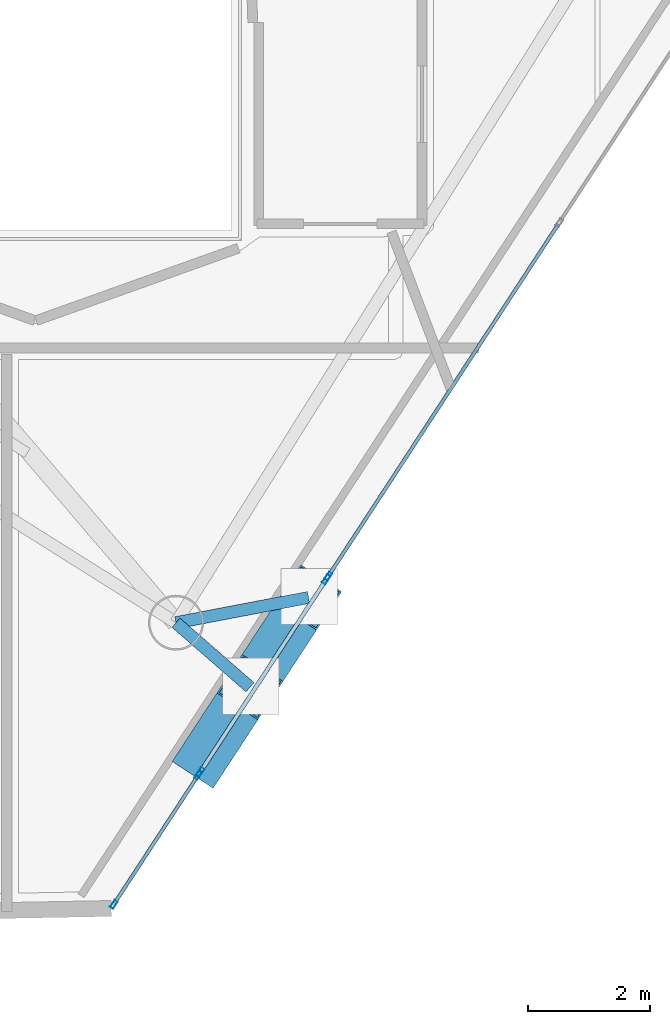
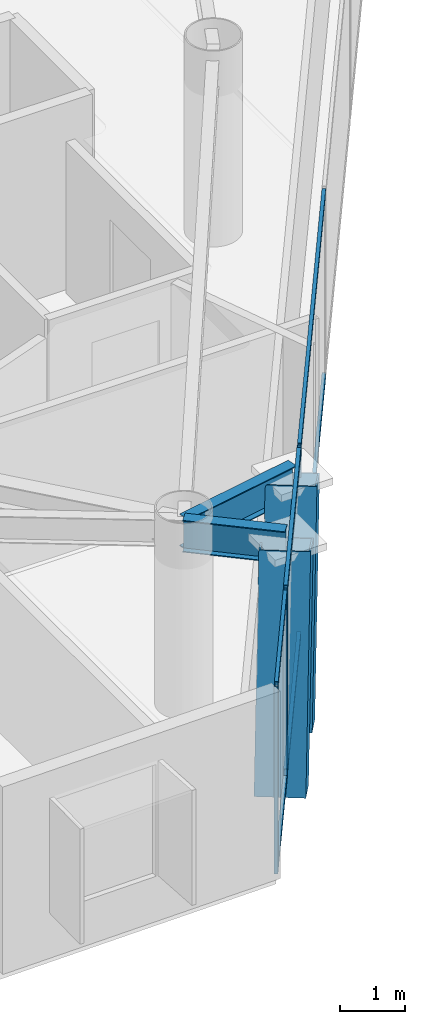
# One storey, part 5 of 25: 13 members, 2 beams, 3 elements without a shape of their own.
"""IFC4 building model written with IfcOpenShell, lengths in metres."""

import ifcopenshell
import ifcopenshell.guid

model = None  # the IFC model being written
_history = None  # IfcOwnerHistory: only IFC2X3 demands one
_inside = {}  # id of a spatial element -> (the spatial element, [elements in it])
_under = {}  # id of a project, library or spatial element -> (it, [spatial elements below it])
_declared = {}  # id of a project -> (the project, [libraries it declares])
_typed = {}  # id of a type object -> (the type object, [elements of that type])
_made_of = {}  # id of a material, layer set ... -> (it, [elements and type objects made of it])


def new_model(schema):
    """Start an empty IFC model of exactly this schema.

    Asked for "IFC4X3", IfcOpenShell would pick the latest addendum, in which some entities
    have other attributes; the version numbers below select the first issue.
    IFC2X3 requires an IfcOwnerHistory on every rooted entity: one is made here for all.
    """
    global model, _history
    if schema == "IFC4X3":
        model = ifcopenshell.file(schema_version=(4, 3, 0, 0))
    else:
        model = ifcopenshell.file(schema=schema)
    _inside.clear()
    _under.clear()
    _declared.clear()
    _typed.clear()
    _made_of.clear()
    _history = None
    if model.schema == "IFC2X3":
        org = make("IfcOrganization", Name="unknown")
        user = make(
            "IfcPersonAndOrganization",
            ThePerson=make("IfcPerson", FamilyName="unknown"),
            TheOrganization=org,
        )
        app = make(
            "IfcApplication",
            ApplicationDeveloper=org,
            Version="unknown",
            ApplicationFullName="unknown",
            ApplicationIdentifier="unknown",
        )
        _history = make(
            "IfcOwnerHistory",
            OwningUser=user,
            OwningApplication=app,
            ChangeAction="ADDED",
            CreationDate=0,
        )
    return model


def make(cls, **values):
    """One entity of the class cls with the attributes given. An attribute that is None is left unset."""
    return model.create_entity(
        cls, **{name: value for name, value in values.items() if value is not None}
    )


def rooted(cls, **values):
    """An entity with a GlobalId (a new one), such as an element, a storey or a relation."""
    return make(cls, GlobalId=ifcopenshell.guid.new(), OwnerHistory=_history, **values)


def si_unit(unit_type, name, prefix=None):
    """IfcSIUnit, for example si_unit("LENGTHUNIT", "METRE", prefix="MILLI")."""
    return make("IfcSIUnit", UnitType=unit_type, Prefix=prefix, Name=name)


def assignment(units):
    """IfcUnitAssignment: the units of a project."""
    return None if units is None else make("IfcUnitAssignment", Units=units)


def point(xyz):
    """IfcCartesianPoint."""
    return None if xyz is None else make("IfcCartesianPoint", Coordinates=xyz)


def direction(xyz):
    """IfcDirection."""
    return None if xyz is None else make("IfcDirection", DirectionRatios=xyz)


def frame(location, z_axis=None, x_axis=None):
    """IfcAxis2Placement3D, a coordinate frame: its origin and axes. An axis left out is left unset."""
    return make(
        "IfcAxis2Placement3D",
        Location=point(location),
        Axis=direction(z_axis),
        RefDirection=direction(x_axis),
    )


def frame_2d(location, x_axis=None):
    """IfcAxis2Placement2D, a coordinate frame in the plane: its origin and x axis."""
    return make(
        "IfcAxis2Placement2D", Location=point(location), RefDirection=direction(x_axis)
    )


def origin():
    """The frame at (0, 0, 0) with its axes left unset."""
    return frame((0.0, 0.0, 0.0))


def origin_2d():
    """The frame at (0, 0) in the plane with its x axis left unset."""
    return frame_2d((0.0, 0.0))


def place(relative_to, where):
    """IfcLocalPlacement: puts the frame where relative to a parent placement (None: the world)."""
    return make(
        "IfcLocalPlacement", PlacementRelTo=relative_to, RelativePlacement=where
    )


def context(
    kind, dimensions, precision=None, world=None, true_north=None, identifier=None
):
    """IfcGeometricRepresentationContext, for example the 3D "Model" context."""
    return make(
        "IfcGeometricRepresentationContext",
        ContextIdentifier=identifier,
        ContextType=kind,
        CoordinateSpaceDimension=dimensions,
        Precision=precision,
        WorldCoordinateSystem=world,
        TrueNorth=true_north,
    )


def subcontext(parent, identifier, kind, view, scale=None):
    """IfcGeometricRepresentationSubContext, for example "Body" below "Model"."""
    return make(
        "IfcGeometricRepresentationSubContext",
        ContextIdentifier=identifier,
        ContextType=kind,
        ParentContext=parent,
        TargetScale=scale,
        TargetView=view,
    )


def project(units=None, contexts=None):
    """IfcProject with its units and contexts."""
    return rooted(
        "IfcProject",
        Name="project",
        RepresentationContexts=contexts,
        UnitsInContext=assignment(units),
    )


def spatial(cls, under=None, at=None, **own):
    """A site, building, storey or space (cls), placed at a placement, below another one or the project."""
    s = rooted(cls, ObjectPlacement=at, **own)
    if under is not None:
        _under.setdefault(under.id(), (under, []))[1].append(s)
    return s


def profile(cls, at=None, kind="AREA", **sizes):
    """A parametric profile (cls). Its sizes go by their IFC names, for example OverallWidth=200.0."""
    return make(cls, ProfileType=kind, Position=at, **sizes)


def hollow_rectangle(**sizes):
    """IfcRectangleHollowProfileDef."""
    return profile("IfcRectangleHollowProfileDef", **sizes)


def i_section(**sizes):
    """IfcIShapeProfileDef."""
    return profile("IfcIShapeProfileDef", **sizes)


def extrude(swept, where, along, depth):
    """IfcExtrudedAreaSolid: the profile swept, set in the frame where, extruded along a direction by depth."""
    return make(
        "IfcExtrudedAreaSolid",
        SweptArea=swept,
        Position=where,
        ExtrudedDirection=direction(along),
        Depth=depth,
    )


def shape(context_of_items, identifier, shape_type, items):
    """IfcShapeRepresentation: the items that make up one representation, for example the "Body"."""
    return make(
        "IfcShapeRepresentation",
        ContextOfItems=context_of_items,
        RepresentationIdentifier=identifier,
        RepresentationType=shape_type,
        Items=items,
    )


def material(Name=None, Category=None):
    """IfcMaterial."""
    return make("IfcMaterial", Name=Name, Category=Category)


def layer(
    of_material, thickness, ventilated=None, Name=None, Category=None, Priority=None
):
    """IfcMaterialLayer: one layer of a wall or slab, of a material (None: an air gap)."""
    return make(
        "IfcMaterialLayer",
        Material=of_material,
        LayerThickness=thickness,
        IsVentilated=ventilated,
        Name=Name,
        Category=Category,
        Priority=Priority,
    )


def layer_set(layers, Name=None):
    """IfcMaterialLayerSet."""
    return make("IfcMaterialLayerSet", MaterialLayers=layers, LayerSetName=Name)


def material_profile(
    of_material, cross_section, Name=None, Category=None, Priority=None
):
    """IfcMaterialProfile: a cross section and its material."""
    return make(
        "IfcMaterialProfile",
        Name=Name,
        Material=of_material,
        Profile=cross_section,
        Priority=Priority,
        Category=Category,
    )


def profile_set(profiles, Name=None, composite=None):
    """IfcMaterialProfileSet."""
    return make(
        "IfcMaterialProfileSet",
        Name=Name,
        MaterialProfiles=profiles,
        CompositeProfile=composite,
    )


def made_of(thing, what):
    """Note that an element or type object is made of a material, layer set ...; save() writes the relation."""
    if what is not None:
        _made_of.setdefault(what.id(), (what, []))[1].append(thing)
    return thing


def type_object(cls, material=None, **own):
    """A type object (cls), such as IfcWallType, which elements share."""
    return made_of(rooted(cls, **own), material)


def element(
    cls,
    number,
    at=None,
    inside=None,
    cuts=None,
    type_object=None,
    material=None,
    context=None,
    identifier="Body",
    shape_type=None,
    held_by="IfcProductDefinitionShape",
    body=None,
    shapes=None,
    **own,
):
    """One element of the class cls, such as IfcWall. Its Tag is "e" and its number.

    at: its placement. inside: the storey or other place that contains it. cuts: it is an
    opening in that element (IfcRelVoidsElement). A single representation is given by context,
    identifier, shape_type and body (its items); several are given by shapes. held_by: the class
    of the entity that holds the representations. save() writes the other relations.
    """
    e = rooted(cls, Tag="e%d" % number, ObjectPlacement=at, **own)
    if body is not None:
        shapes = [shape(context, identifier, shape_type, body)]
    if shapes is not None:
        e.Representation = make(held_by, Representations=shapes)
    if inside is not None:
        _inside.setdefault(inside.id(), (inside, []))[1].append(e)
    if cuts is not None:
        rooted(
            "IfcRelVoidsElement", RelatingBuildingElement=cuts, RelatedOpeningElement=e
        )
    if type_object is not None:
        _typed.setdefault(type_object.id(), (type_object, []))[1].append(e)
    return made_of(e, material)


def aggregate(whole, parts):
    """IfcRelAggregates: a whole, such as a stair, and the parts it consists of."""
    return rooted("IfcRelAggregates", RelatingObject=whole, RelatedObjects=parts)


def save(model, path):
    """Write the relations noted so far, then the file.

    IfcRelAggregates (storeys below a building ...), IfcRelContainedInSpatialStructure (elements
    in a storey), IfcRelDefinesByType, IfcRelAssociatesMaterial and IfcRelDeclares: one each for
    every whole, place, type object, material and project.
    """
    for whole, parts in _under.values():
        aggregate(whole, parts)
    for where, things in _inside.values():
        rooted(
            "IfcRelContainedInSpatialStructure",
            RelatedElements=things,
            RelatingStructure=where,
        )
    for kind, things in _typed.values():
        rooted("IfcRelDefinesByType", RelatedObjects=things, RelatingType=kind)
    for what, things in _made_of.values():
        rooted("IfcRelAssociatesMaterial", RelatedObjects=things, RelatingMaterial=what)
    for by, libraries in _declared.values():
        rooted("IfcRelDeclares", RelatingContext=by, RelatedDefinitions=libraries)
    model.write(path)


model = new_model("IFC4")

# Units and contexts
model_context = context("Model", 3, precision=1e-05, world=origin(), true_north=direction((0.0, 1.0)))
body_context = subcontext(model_context, "Body", "Model", "MODEL_VIEW")
ifc_project = project(units=[si_unit("LENGTHUNIT", "METRE"), si_unit("AREAUNIT", "SQUARE_METRE"), si_unit("VOLUMEUNIT", "CUBIC_METRE"), si_unit("PLANEANGLEUNIT", "RADIAN"), si_unit("MASSUNIT", "GRAM", prefix="KILO")], contexts=[model_context])

# Site, building, storey
site_placement = place(None, origin())
site = spatial("IfcSite", under=ifc_project, at=site_placement, CompositionType="ELEMENT")
building_placement = place(site_placement, origin())
building = spatial("IfcBuilding", under=site, at=building_placement, Name="Qianvela Tower", CompositionType="ELEMENT")
storey_placement = place(building_placement, frame((0.0, 0.0, 288.0)))
storey = spatial("IfcBuildingStorey", under=building, at=storey_placement, Name="L74", CompositionType="ELEMENT", Elevation=288.0)

# Beams
ifc_material_1 = material(Name="Steel Q355B", Category="steel")
ifc_material_profile_1 = material_profile(ifc_material_1, i_section(OverallWidth=0.199951171875, OverallDepth=0.60009765625, WebThickness=0.010986328125, FlangeThickness=0.01708984375, at=origin_2d()), Name="HN600x200x11x17")
ifc_profile_set_1 = profile_set([ifc_material_profile_1], Name="Steel Q355B")
beam_type = type_object("IfcBeamType", Name="BM-HN600-GIRD", PredefinedType="BEAM", material=ifc_profile_set_1)
beam_1_placement = place(storey_placement, frame((39.095947265625, 11.587890625, 3.218017578125), z_axis=(0.754195853298, -0.656649537324, 0.0), x_axis=(0.656649537324, 0.754195853298, 0.0)))
element("IfcBeam", 1, at=beam_1_placement, inside=storey, type_object=beam_type, Name="L74 Mega-Brace Column Tie Bracket F3-1", PredefinedType="BEAM", context=body_context, shape_type="SweptSolid", body=[
    extrude(i_section(OverallWidth=0.199951171875, OverallDepth=0.60009765625, WebThickness=0.010986328125, FlangeThickness=0.01708984375, at=origin_2d()), origin(), (0.0, 0.0, 1.0), 1.604248046875),
])
beam_2_placement = place(storey_placement, frame((39.095947265625, 11.587890625, 3.218017578125), z_axis=(0.982277538267, 0.187432221925, 0.0), x_axis=(-0.187432221925, 0.982277538267, 0.0)))
element("IfcBeam", 2, at=beam_2_placement, inside=storey, type_object=beam_type, Name="L74 Mega-Brace Column Tie Bracket F3-2", PredefinedType="BEAM", context=body_context, shape_type="SweptSolid", body=[
    extrude(i_section(OverallWidth=0.199951171875, OverallDepth=0.60009765625, WebThickness=0.010986328125, FlangeThickness=0.01708984375, at=origin_2d()), origin(), (0.0, 0.0, 1.0), 2.207763671875),
])

# Curtain wall, members
ifc_material_2 = material(Name="Anodised Architectural Aluminium and Insulated Spandrel Panel", Category="aluminium")
ifc_layer_1 = layer(ifc_material_2, 0.179931640625)
ifc_layer_set_1 = layer_set([ifc_layer_1], Name="Anodised Architectural Aluminium and Insulated Spandrel Panel")
curtain_wall_type_1 = type_object("IfcCurtainWallType", Name="CW-BRACEBAY", PredefinedType="USERDEFINED", material=ifc_layer_set_1)
curtain_wall_1_placement = place(storey_placement, origin())
curtain_wall_1 = element("IfcCurtainWall", 3, at=curtain_wall_1_placement, inside=storey, type_object=curtain_wall_type_1, Name="L74 CW-BRACEBAY Curtain Wall 06B", ObjectType="CURTAIN_WALL_SYSTEM", PredefinedType="USERDEFINED")
ifc_material_3 = material(Name="Anodised Architectural Aluminium 6063-T6", Category="aluminium")
ifc_material_profile_2 = material_profile(ifc_material_3, hollow_rectangle(XDim=0.06494140625, YDim=0.159912109375, WallThickness=0.0048828125, at=origin_2d()), Name="ALU-MULL-65x160")
ifc_profile_set_2 = profile_set([ifc_material_profile_2], Name="Anodised Architectural Aluminium 6063-T6")
member_type_1 = type_object("IfcMemberType", Name="CW-BRACEBAY-MULL", PredefinedType="MULLION", material=ifc_profile_set_2)
member_1_placement = place(storey_placement, frame((39.49267578125, 9.144287109375, 0.0), z_axis=(0.0, 0.0, 1.0), x_axis=(-0.837068951369, 0.547097405088, 0.0)))
member_1 = element("IfcMember", 4, at=member_1_placement, type_object=member_type_1, Name="CW-9 mullion 1", PredefinedType="MULLION", context=body_context, shape_type="SweptSolid", body=[
    extrude(hollow_rectangle(XDim=0.06494140625, YDim=0.159912109375, WallThickness=0.0048828125, at=origin_2d()), origin(), (0.0, 0.0, 1.0), 3.52001953125),
])
member_2_placement = place(storey_placement, frame((41.552734375, 12.2958984375, 0.0), z_axis=(0.0, 0.0, 1.0), x_axis=(-0.837068951369, 0.547097405088, 0.0)))
member_2 = element("IfcMember", 5, at=member_2_placement, type_object=member_type_1, Name="CW-9 mullion 2", PredefinedType="MULLION", context=body_context, shape_type="SweptSolid", body=[
    extrude(hollow_rectangle(XDim=0.06494140625, YDim=0.159912109375, WallThickness=0.0048828125, at=origin_2d()), origin(), (0.0, 0.0, 1.0), 3.52001953125),
])
ifc_material_4 = material(Name="Anodised Architectural Aluminium 6063-T6", Category="aluminium")
ifc_material_profile_3 = material_profile(ifc_material_4, hollow_rectangle(XDim=0.06494140625, YDim=0.1298828125, WallThickness=0.00439453125, at=origin_2d()), Name="ALU-TRAN-65x130")
ifc_profile_set_3 = profile_set([ifc_material_profile_3], Name="Anodised Architectural Aluminium 6063-T6")
member_type_2 = type_object("IfcMemberType", Name="CW-BRACEBAY-TRAN", PredefinedType="USERDEFINED", material=ifc_profile_set_3)
member_3_placement = place(storey_placement, frame((39.510498046875, 9.171630859375, 0.032470703125), z_axis=(0.547124913705, 0.837050971449, 0.0), x_axis=(-0.837050971449, 0.547124913705, 0.0)))
member_3 = element("IfcMember", 6, at=member_3_placement, type_object=member_type_2, Name="CW-9 transom 1.1", ObjectType="TRANSOM", PredefinedType="USERDEFINED", context=body_context, shape_type="SweptSolid", body=[
    extrude(hollow_rectangle(XDim=0.06494140625, YDim=0.1298828125, WallThickness=0.00439453125, at=origin_2d()), origin(), (0.0, 0.0, 1.0), 3.7001953125),
])
member_4_placement = place(storey_placement, frame((39.510498046875, 9.171630859375, 3.487548828125), z_axis=(0.547124913705, 0.837050971449, 0.0), x_axis=(-0.837050971449, 0.547124913705, 0.0)))
member_4 = element("IfcMember", 7, at=member_4_placement, type_object=member_type_2, Name="CW-9 transom 1.2", ObjectType="TRANSOM", PredefinedType="USERDEFINED", context=body_context, shape_type="SweptSolid", body=[
    extrude(hollow_rectangle(XDim=0.06494140625, YDim=0.1298828125, WallThickness=0.00439453125, at=origin_2d()), origin(), (0.0, 0.0, 1.0), 3.7001953125),
])
aggregate(curtain_wall_1, [member_1, member_2, member_3, member_4])

ifc_material_5 = material(Name="Anodised Architectural Aluminium and Low-E Glass", Category="aluminium")
ifc_layer_2 = layer(ifc_material_5, 0.14990234375)
ifc_layer_set_2 = layer_set([ifc_layer_2], Name="Anodised Architectural Aluminium and Low-E Glass")
curtain_wall_type_2 = type_object("IfcCurtainWallType", Name="CW-COLIV-Z78", PredefinedType="USERDEFINED", material=ifc_layer_set_2)
curtain_wall_2_placement = place(storey_placement, origin())
curtain_wall_2 = element("IfcCurtainWall", 8, at=curtain_wall_2_placement, inside=storey, type_object=curtain_wall_type_2, Name="L74 CW-COLIV-Z78 Curtain Wall 06A", ObjectType="CURTAIN_WALL_SYSTEM", PredefinedType="USERDEFINED")
ifc_material_6 = material(Name="Anodised Architectural Aluminium 6063-T6", Category="aluminium")
ifc_material_profile_4 = material_profile(ifc_material_6, hollow_rectangle(XDim=0.06005859375, YDim=0.139892578125, WallThickness=0.00439453125, at=origin_2d()), Name="ALU-MULL-60x140")
ifc_profile_set_4 = profile_set([ifc_material_profile_4], Name="Anodised Architectural Aluminium 6063-T6")
member_type_3 = type_object("IfcMemberType", Name="CW-COLIV-Z78-MULL", PredefinedType="MULLION", material=ifc_profile_set_4)
member_5_placement = place(storey_placement, frame((38.080078125, 6.982666015625, 0.0), z_axis=(0.0, 0.0, 1.0), x_axis=(-0.837084312317, 0.547073901839, 0.0)))
member_5 = element("IfcMember", 9, at=member_5_placement, type_object=member_type_3, Name="CW-6 mullion 1", PredefinedType="MULLION", context=body_context, shape_type="SweptSolid", body=[
    extrude(hollow_rectangle(XDim=0.06005859375, YDim=0.139892578125, WallThickness=0.00439453125, at=origin_2d()), origin(), (0.0, 0.0, 1.0), 3.52001953125),
])
member_6_placement = place(storey_placement, frame((39.45849609375, 9.092041015625, 0.0), z_axis=(0.0, 0.0, 1.0), x_axis=(-0.837084312317, 0.547073901839, 0.0)))
member_6 = element("IfcMember", 10, at=member_6_placement, type_object=member_type_3, Name="CW-6 mullion 2", PredefinedType="MULLION", context=body_context, shape_type="SweptSolid", body=[
    extrude(hollow_rectangle(XDim=0.06005859375, YDim=0.139892578125, WallThickness=0.00439453125, at=origin_2d()), origin(), (0.0, 0.0, 1.0), 3.52001953125),
])

# Curtain wall, member
curtain_wall_3_placement = place(storey_placement, origin())
curtain_wall_3 = element("IfcCurtainWall", 11, at=curtain_wall_3_placement, inside=storey, type_object=curtain_wall_type_2, Name="L74 CW-COLIV-Z78 Curtain Wall 06C", ObjectType="CURTAIN_WALL_SYSTEM", PredefinedType="USERDEFINED")
member_7_placement = place(storey_placement, frame((41.5869140625, 12.348388671875, 0.0), z_axis=(0.0, 0.0, 1.0), x_axis=(-0.837079522696, 0.547081230424, 0.0)))
member_7 = element("IfcMember", 12, at=member_7_placement, type_object=member_type_3, Name="CW-6 mullion 1", PredefinedType="MULLION", context=body_context, shape_type="SweptSolid", body=[
    extrude(hollow_rectangle(XDim=0.06005859375, YDim=0.139892578125, WallThickness=0.00439453125, at=origin_2d()), origin(), (0.0, 0.0, 1.0), 3.52001953125),
])

# Member
ifc_material_7 = material(Name="Anodised Architectural Aluminium 6063-T6", Category="aluminium")
ifc_material_profile_5 = material_profile(ifc_material_7, hollow_rectangle(XDim=0.06005859375, YDim=0.114990234375, WallThickness=0.00390625, at=origin_2d()), Name="ALU-TRAN-60x115")
ifc_profile_set_5 = profile_set([ifc_material_profile_5], Name="Anodised Architectural Aluminium 6063-T6")
member_type_4 = type_object("IfcMemberType", Name="CW-COLIV-Z78-TRAN", PredefinedType="USERDEFINED", material=ifc_profile_set_5)
member_8_placement = place(storey_placement, frame((38.096435546875, 7.0078125, 0.030029296875), z_axis=(0.547072858448, 0.837084994221, 0.0), x_axis=(-0.837084994221, 0.547072858448, 0.0)))
member_8 = element("IfcMember", 13, at=member_8_placement, type_object=member_type_4, Name="CW-6 transom 1.1", ObjectType="TRANSOM", PredefinedType="USERDEFINED", context=body_context, shape_type="SweptSolid", body=[
    extrude(hollow_rectangle(XDim=0.06005859375, YDim=0.114990234375, WallThickness=0.00390625, at=origin_2d()), origin(), (0.0, 0.0, 1.0), 2.459716796875),
])

member_9_placement = place(storey_placement, frame((38.096435546875, 7.0078125, 3.489990234375), z_axis=(0.547072858448, 0.837084994221, 0.0), x_axis=(-0.837084994221, 0.547072858448, 0.0)))
member_9 = element("IfcMember", 14, at=member_9_placement, type_object=member_type_4, Name="CW-6 transom 1.2", ObjectType="TRANSOM", PredefinedType="USERDEFINED", context=body_context, shape_type="SweptSolid", body=[
    extrude(hollow_rectangle(XDim=0.06005859375, YDim=0.114990234375, WallThickness=0.00390625, at=origin_2d()), origin(), (0.0, 0.0, 1.0), 2.459716796875),
])

aggregate(curtain_wall_2, [member_5, member_6, member_8, member_9])

member_10_placement = place(storey_placement, frame((41.603271484375, 12.37353515625, 0.030029296875), z_axis=(0.547080224916, 0.837080179855, 0.0), x_axis=(-0.837080179855, 0.547080224916, 0.0)))
member_10 = element("IfcMember", 15, at=member_10_placement, type_object=member_type_4, Name="CW-6 transom 1.1", ObjectType="TRANSOM", PredefinedType="USERDEFINED", context=body_context, shape_type="SweptSolid", body=[
    extrude(hollow_rectangle(XDim=0.06005859375, YDim=0.114990234375, WallThickness=0.00390625, at=origin_2d()), origin(), (0.0, 0.0, 1.0), 6.84521484375),
])

member_11_placement = place(storey_placement, frame((41.603271484375, 12.37353515625, 3.489990234375), z_axis=(0.547080224916, 0.837080179855, 0.0), x_axis=(-0.837080179855, 0.547080224916, 0.0)))
member_11 = element("IfcMember", 16, at=member_11_placement, type_object=member_type_4, Name="CW-6 transom 1.2", ObjectType="TRANSOM", PredefinedType="USERDEFINED", context=body_context, shape_type="SweptSolid", body=[
    extrude(hollow_rectangle(XDim=0.06005859375, YDim=0.114990234375, WallThickness=0.00390625, at=origin_2d()), origin(), (0.0, 0.0, 1.0), 6.84521484375),
])

aggregate(curtain_wall_3, [member_7, member_10, member_11])

# Members
ifc_material_8 = material(Name="Steel Q420GJC", Category="steel")
ifc_material_profile_6 = material_profile(ifc_material_8, hollow_rectangle(XDim=0.800048828125, YDim=0.800048828125, WallThickness=0.028076171875, at=origin_2d()), Name="MBOX-800x800x28")
ifc_profile_set_6 = profile_set([ifc_material_profile_6], Name="Steel Q420GJC")
member_type_5 = type_object("IfcMemberType", Name="MBR-MBRACE-800", PredefinedType="BRACE", material=ifc_profile_set_6)
member_12_placement = place(storey_placement, frame((39.574462890625, 9.415771484375, -0.48193359375), z_axis=(0.185931093584, 0.284357900802, 0.940515928993), x_axis=(-0.836963178111, 0.547259205941, 0.0)))
element("IfcMember", 17, at=member_12_placement, inside=storey, type_object=member_type_5, Name="L74 Tier 12 Exterior Mega-Brace F3A", PredefinedType="BRACE", context=body_context, shape_type="SweptSolid", body=[
    extrude(hollow_rectangle(XDim=0.800048828125, YDim=0.800048828125, WallThickness=0.028076171875, at=origin_2d()), origin(), (0.0, 0.0, 1.0), 3.933837890625),
])
member_13_placement = place(storey_placement, frame((40.533203125, 10.882568359375, -0.48193359375), z_axis=(0.185924530177, 0.284471978082, 0.940482728584), x_axis=(-0.837072540566, 0.547091913512, 0.0)))
element("IfcMember", 18, at=member_13_placement, inside=storey, type_object=member_type_5, Name="L74 Tier 12 Exterior Mega-Brace F3B", PredefinedType="BRACE", context=body_context, shape_type="SweptSolid", body=[
    extrude(hollow_rectangle(XDim=0.800048828125, YDim=0.800048828125, WallThickness=0.028076171875, at=origin_2d()), origin(), (0.0, 0.0, 1.0), 3.93408203125),
])

save(model, "model.ifc")
